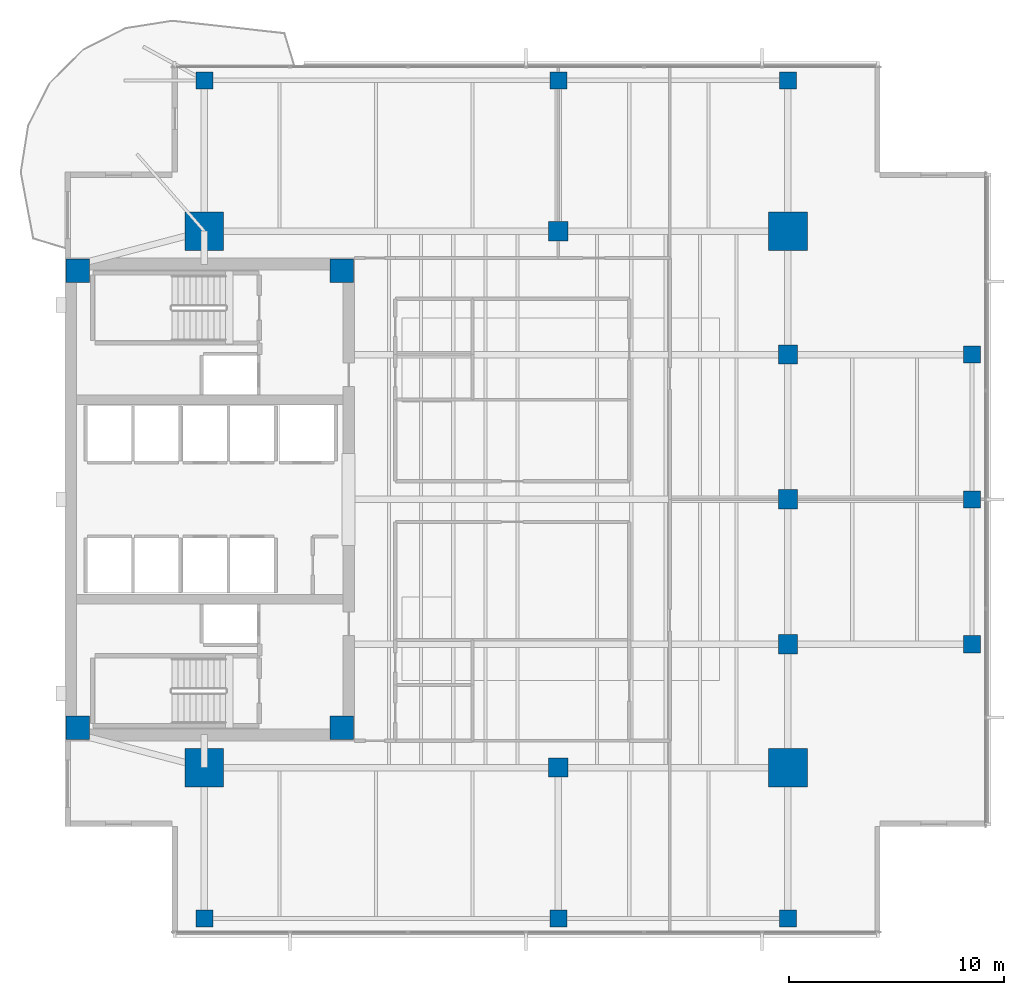
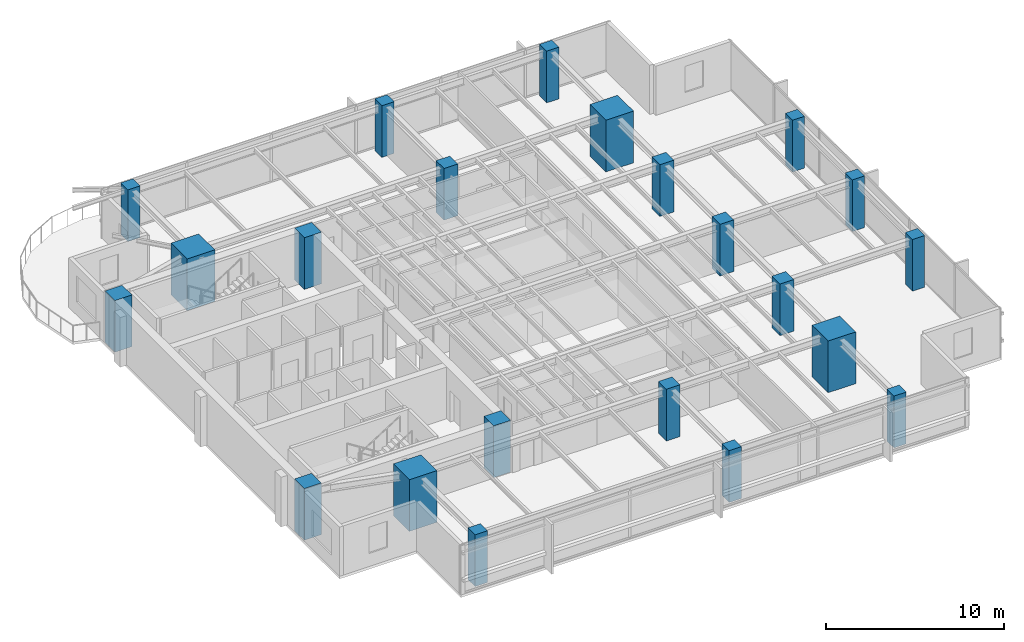
# One storey, part 1 of 14: 22 columns.
"""IFC4 building model written with IfcOpenShell, lengths in metres."""

from ifc_helpers import new_model, si_unit, direction, frame, origin, origin_2d, place, context, subcontext, project, spatial, rectangle, extrude, material, material_profile, profile_set, type_object, element, save


model = new_model("IFC4")

# Units and contexts
model_context = context("Model", 3, precision=1e-05, world=origin(), true_north=direction((0.0, 1.0)))
body_context = subcontext(model_context, "Body", "Model", "MODEL_VIEW")
ifc_project = project(units=[si_unit("LENGTHUNIT", "METRE"), si_unit("AREAUNIT", "SQUARE_METRE"), si_unit("VOLUMEUNIT", "CUBIC_METRE"), si_unit("PLANEANGLEUNIT", "RADIAN"), si_unit("MASSUNIT", "GRAM", prefix="KILO")], contexts=[model_context])

# Site, building, storey
site_placement = place(None, origin())
site = spatial("IfcSite", under=ifc_project, at=site_placement, CompositionType="ELEMENT")
building_placement = place(site_placement, origin())
building = spatial("IfcBuilding", under=site, at=building_placement, Name="Kinhvarn Gate Tower", CompositionType="ELEMENT")
storey_placement = place(building_placement, frame((0.0, 0.0, 188.050048828125)))
storey = spatial("IfcBuildingStorey", under=building, at=storey_placement, Name="L49", CompositionType="ELEMENT", Elevation=188.050048828125)

# Columns
ifc_material_1 = material(Name="Concrete C60/75", Category="concrete")
ifc_material_profile_1 = material_profile(ifc_material_1, rectangle(XDim=1.800048828125, YDim=1.800048828125, at=origin_2d()), Name="RC 1800x1800")
ifc_profile_set_1 = profile_set([ifc_material_profile_1], Name="Concrete C60/75")
column_type_1 = type_object("IfcColumnType", Name="COL-MC-1800", PredefinedType="COLUMN", material=ifc_profile_set_1)
for number, where, z_axis, x_axis, name in (
    (1, (11.0, 12.75, 0.0), (0.0, 0.0, 1.0), (1.0, 0.0, 0.0), "Column MC1-L49 (MC-18)"),
    (2, (11.0, 37.75, 0.0), (0.0, 0.0, 1.0), (1.0, 0.0, 0.0), "Column MC4-L49 (MC-18)"),
    (3, (38.199951171875, 12.75, 0.0), (0.0, 0.0, 1.0), (1.0, 0.0, 0.0), "Column MC2-L49 (MC-18)"),
    (4, (38.199951171875, 37.75, 0.0), (0.0, 0.0, 1.0), (1.0, 0.0, 0.0), "Column MC3-L49 (MC-18)"),
):
    element("IfcColumn", number, at=place(storey_placement, frame(where, z_axis=z_axis, x_axis=x_axis)), inside=storey, type_object=column_type_1, Name=name, PredefinedType="COLUMN", context=body_context, shape_type="SweptSolid", body=[
        extrude(rectangle(XDim=1.800048828125, YDim=1.800048828125, at=origin_2d()), origin(), (0.0, 0.0, 1.0), 3.550048828125),
    ])
ifc_material_2 = material(Name="Concrete C50/60", Category="concrete")
ifc_material_profile_2 = material_profile(ifc_material_2, rectangle(XDim=0.800048828125, YDim=0.800048828125, at=origin_2d()), Name="RC 800x800")
ifc_profile_set_2 = profile_set([ifc_material_profile_2], Name="Concrete C50/60")
column_type_2 = type_object("IfcColumnType", Name="COL-RC-800", PredefinedType="COLUMN", material=ifc_profile_set_2)
for number, where, z_axis, x_axis, name in (
    (5, (46.780029296875, 18.5, 0.0), (0.0, 0.0, 1.0), (1.0, 0.0, 0.0), "Column CE-1-L49 (C-080)"),
    (6, (46.780029296875, 25.25, 0.0), (0.0, 0.0, 1.0), (1.0, 0.0, 0.0), "Column CE-2-L49 (C-080)"),
    (7, (46.780029296875, 32.0, 0.0), (0.0, 0.0, 1.0), (1.0, 0.0, 0.0), "Column CE-3-L49 (C-080)"),
    (8, (11.0, 5.719970703125, 0.0), (0.0, 0.0, 1.0), (1.0, 0.0, 0.0), "Column CS-0-L49 (C-080)"),
    (9, (27.5, 5.719970703125, 0.0), (0.0, 0.0, 1.0), (1.0, 0.0, 0.0), "Column CS-1-L49 (C-080)"),
    (10, (38.199951171875, 5.719970703125, 0.0), (0.0, 0.0, 1.0), (1.0, 0.0, 0.0), "Column CS-2-L49 (C-080)"),
    (11, (11.0, 44.780029296875, 0.0), (0.0, 0.0, 1.0), (1.0, 0.0, 0.0), "Column CN-0-L49 (C-080)"),
    (12, (27.5, 44.780029296875, 0.0), (0.0, 0.0, 1.0), (1.0, 0.0, 0.0), "Column CN-1-L49 (C-080)"),
    (13, (38.199951171875, 44.780029296875, 0.0), (0.0, 0.0, 1.0), (1.0, 0.0, 0.0), "Column CN-2-L49 (C-080)"),
):
    element("IfcColumn", number, at=place(storey_placement, frame(where, z_axis=z_axis, x_axis=x_axis)), inside=storey, type_object=column_type_2, Name=name, PredefinedType="COLUMN", context=body_context, shape_type="SweptSolid", body=[
        extrude(rectangle(XDim=0.800048828125, YDim=0.800048828125, at=origin_2d()), origin(), (0.0, 0.0, 1.0), 3.550048828125),
    ])
ifc_material_profile_3 = material_profile(ifc_material_1, rectangle(XDim=0.89990234375, YDim=0.89990234375, at=origin_2d()), Name="RC 900x900")
ifc_profile_set_3 = profile_set([ifc_material_profile_3], Name="Concrete C60/75")
column_type_3 = type_object("IfcColumnType", Name="COL-RC-900", PredefinedType="COLUMN", material=ifc_profile_set_3)
for number, where, z_axis, x_axis, name in (
    (14, (27.5, 12.75, 0.0), (0.0, 0.0, 1.0), (1.0, 0.0, 0.0), "Column SP27-S-L49 (C-090)"),
    (15, (27.5, 37.75, 0.0), (0.0, 0.0, 1.0), (1.0, 0.0, 0.0), "Column SP27-N-L49 (C-090)"),
    (16, (38.199951171875, 18.5, 0.0), (0.0, 0.0, 1.0), (1.0, 0.0, 0.0), "Column SP38-E1-L49 (C-090)"),
    (17, (38.199951171875, 25.25, 0.0), (0.0, 0.0, 1.0), (1.0, 0.0, 0.0), "Column SP38-E2-L49 (C-090)"),
    (18, (38.199951171875, 32.0, 0.0), (0.0, 0.0, 1.0), (1.0, 0.0, 0.0), "Column SP38-E3-L49 (C-090)"),
):
    element("IfcColumn", number, at=place(storey_placement, frame(where, z_axis=z_axis, x_axis=x_axis)), inside=storey, type_object=column_type_3, Name=name, PredefinedType="COLUMN", context=body_context, shape_type="SweptSolid", body=[
        extrude(rectangle(XDim=0.89990234375, YDim=0.89990234375, at=origin_2d()), origin(), (0.0, 0.0, 1.0), 3.550048828125),
    ])
ifc_material_profile_4 = material_profile(ifc_material_1, rectangle(XDim=1.10009765625, YDim=1.10009765625, at=origin_2d()), Name="RC 1100x1100")
ifc_profile_set_4 = profile_set([ifc_material_profile_4], Name="Concrete C60/75")
column_type_4 = type_object("IfcColumnType", Name="PIL-RC-1100", PredefinedType="PILASTER", material=ifc_profile_set_4)
for number, where, z_axis, x_axis, name in (
    (19, (5.10009765625, 14.60009765625, 0.0), (0.0, 0.0, 1.0), (1.0, 0.0, 0.0), "Column CC-SW-L49 (CP-110)"),
    (20, (5.10009765625, 35.89990234375, 0.0), (0.0, 0.0, 1.0), (1.0, 0.0, 0.0), "Column CC-NW-L49 (CP-110)"),
    (21, (17.39990234375, 14.60009765625, 0.0), (0.0, 0.0, 1.0), (1.0, 0.0, 0.0), "Column CC-SE-L49 (CP-110)"),
    (22, (17.39990234375, 35.89990234375, 0.0), (0.0, 0.0, 1.0), (1.0, 0.0, 0.0), "Column CC-NE-L49 (CP-110)"),
):
    element("IfcColumn", number, at=place(storey_placement, frame(where, z_axis=z_axis, x_axis=x_axis)), inside=storey, type_object=column_type_4, Name=name, PredefinedType="PILASTER", context=body_context, shape_type="SweptSolid", body=[
        extrude(rectangle(XDim=1.10009765625, YDim=1.10009765625, at=origin_2d()), origin(), (0.0, 0.0, 1.0), 3.550048828125),
    ])

save(model, "model.ifc")
